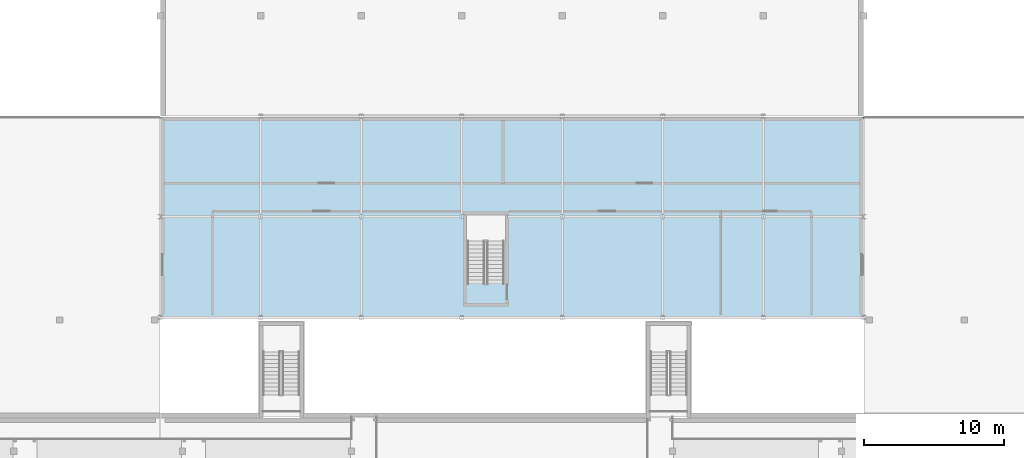
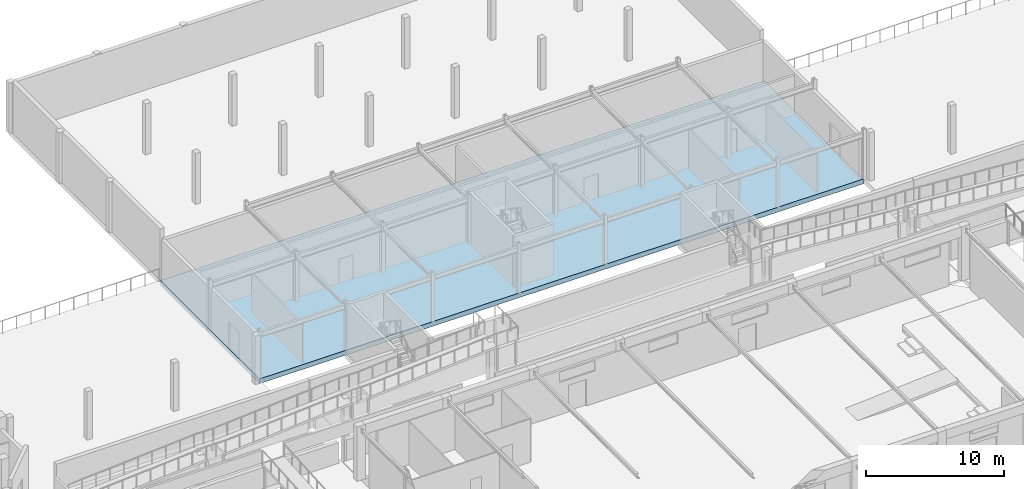
# One storey, part 44 of 85: 1 slab.
"""IFC4 building model written with IfcOpenShell, lengths in metres."""

from ifc_helpers import new_model, si_unit, direction, frame, origin, place, context, subcontext, project, spatial, polyline, outline, extrude, material, layer, layer_set, type_object, element, save


model = new_model("IFC4")

# Units and contexts
model_context = context("Model", 3, precision=1e-05, world=origin(), true_north=direction((0.0, 1.0)))
body_context = subcontext(model_context, "Body", "Model", "MODEL_VIEW")
ifc_project = project(units=[si_unit("LENGTHUNIT", "METRE"), si_unit("AREAUNIT", "SQUARE_METRE"), si_unit("VOLUMEUNIT", "CUBIC_METRE"), si_unit("PLANEANGLEUNIT", "RADIAN"), si_unit("MASSUNIT", "GRAM", prefix="KILO")], contexts=[model_context])

# Site, building, storey
site_placement = place(None, origin())
site = spatial("IfcSite", under=ifc_project, at=site_placement, CompositionType="ELEMENT")
building_placement = place(site_placement, origin())
building = spatial("IfcBuilding", under=site, at=building_placement, Name="Ochrevale Crest", CompositionType="ELEMENT")
storey_placement = place(building_placement, origin())
storey = spatial("IfcBuildingStorey", under=building, at=storey_placement, Name="L00", CompositionType="ELEMENT", Elevation=0.0)

# Slab
ifc_material = material(Name="Concrete C40/50", Category="concrete")
ifc_layer = layer(ifc_material, 0.4150390625)
ifc_layer_set = layer_set([ifc_layer], Name="Concrete C40/50")
slab_type = type_object("IfcSlabType", Name="SLB-HALL-300", PredefinedType="FLOOR", material=ifc_layer_set)
slab_placement = place(storey_placement, frame((0.0, 0.0, -0.419921875)))
element("IfcSlab", 1, at=slab_placement, inside=storey, type_object=slab_type, Name="Nursery pavilion L00 hillside undercroft slab", PredefinedType="FLOOR", context=body_context, shape_type="SweptSolid", body=[
    extrude(outline(polyline([(57.625, 79.25), (107.97509765625, 79.25), (107.97509765625, 93.550048828125), (57.625, 93.550048828125), (57.625, 79.25)])), origin(), (0.0, 0.0, 1.0), 0.419921875),
])

save(model, "model.ifc")
